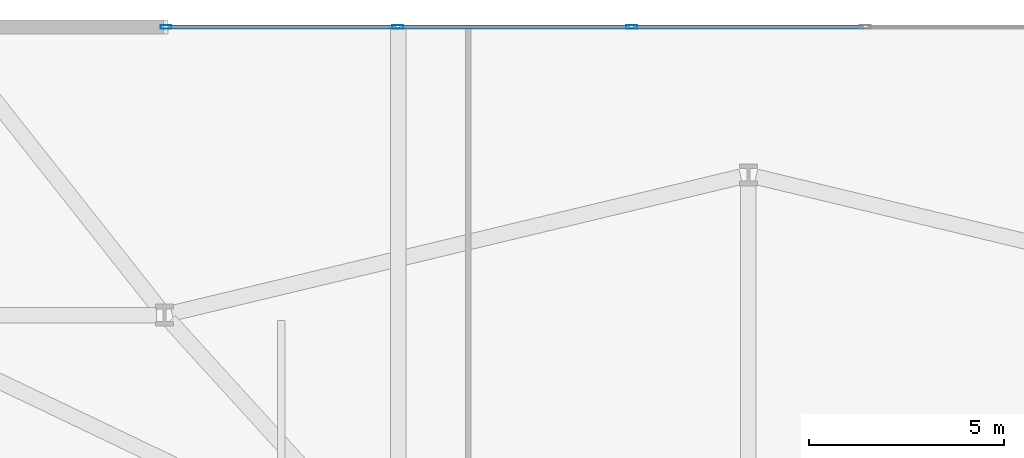
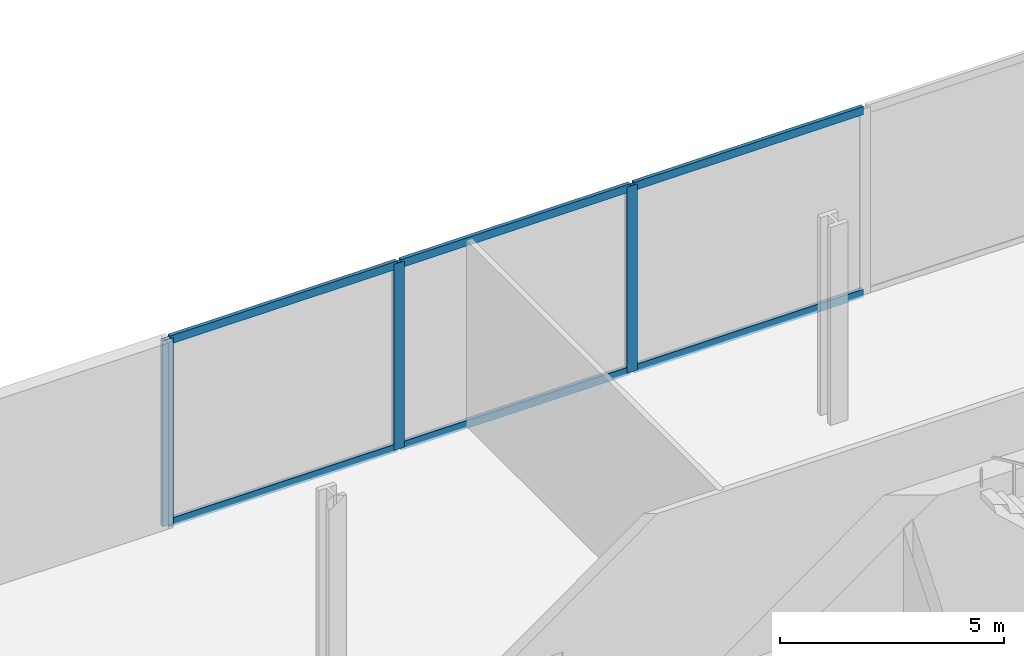
# One storey, part 6 of 20: 9 members, 1 element without a shape of its own.
"""IFC4 building model written with IfcOpenShell, lengths in metres."""

from ifc_helpers import new_model, si_unit, direction, frame, origin, origin_2d, place, context, subcontext, project, spatial, hollow_rectangle, extrude, material, material_profile, profile_set, type_object, element, aggregate, save


model = new_model("IFC4")

# Units and contexts
model_context = context("Model", 3, precision=1e-05, world=origin(), true_north=direction((0.0, 1.0)))
body_context = subcontext(model_context, "Body", "Model", "MODEL_VIEW")
ifc_project = project(units=[si_unit("LENGTHUNIT", "METRE"), si_unit("AREAUNIT", "SQUARE_METRE"), si_unit("VOLUMEUNIT", "CUBIC_METRE"), si_unit("PLANEANGLEUNIT", "RADIAN"), si_unit("MASSUNIT", "GRAM", prefix="KILO")], contexts=[model_context])

# Site, building, storey
site_placement = place(None, origin())
site = spatial("IfcSite", under=ifc_project, at=site_placement, CompositionType="ELEMENT")
building_placement = place(site_placement, origin())
building = spatial("IfcBuilding", under=site, at=building_placement, Name="Haldenkirk Collegiate Tower", CompositionType="ELEMENT")
storey_placement = place(building_placement, frame((0.0, 0.0, 6.0)))
storey = spatial("IfcBuildingStorey", under=building, at=storey_placement, Name="L01", CompositionType="ELEMENT", Elevation=6.0)

# Curtain wall, members
ifc_material = material(Name="Anodised architectural bronze aluminium", Category="aluminium")
curtain_wall_type = type_object("IfcCurtainWallType", Name="CW-SYS3-PODIUM", PredefinedType="USERDEFINED", material=ifc_material)
curtain_wall_placement = place(storey_placement, origin())
curtain_wall = element("IfcCurtainWall", 1, at=curtain_wall_placement, inside=storey, type_object=curtain_wall_type, Name="L01 Podium campus concourse and library storefront curtain wall", ObjectType="UNITISED CURTAIN WALL", PredefinedType="USERDEFINED")
ifc_material_profile_1 = material_profile(ifc_material, hollow_rectangle(XDim=0.094970703125, YDim=0.280029296875, WallThickness=0.0048828125, at=origin_2d()), Name="CW-MUL-03")
ifc_profile_set_1 = profile_set([ifc_material_profile_1], Name="Anodised architectural bronze aluminium")
member_type_1 = type_object("IfcMemberType", Name="CW-MUL-03", PredefinedType="MULLION", material=ifc_profile_set_1)
member_1_placement = place(storey_placement, frame((21.03955078125, 48.0, 0.0), z_axis=(0.0, 0.0, 1.0), x_axis=(0.0, 1.0, 0.0)))
member_1 = element("IfcMember", 2, at=member_1_placement, type_object=member_type_1, Name="CW-03 mullion 1", PredefinedType="MULLION", context=body_context, shape_type="SweptSolid", body=[
    extrude(hollow_rectangle(XDim=0.094970703125, YDim=0.280029296875, WallThickness=0.0048828125, at=origin_2d()), origin(), (0.0, 0.0, 1.0), 5.070068359375),
])
member_2_placement = place(storey_placement, frame((26.9951171875, 48.0, 0.0), z_axis=(0.0, 0.0, 1.0), x_axis=(0.0, 1.0, 0.0)))
member_2 = element("IfcMember", 3, at=member_2_placement, type_object=member_type_1, Name="CW-03 mullion 2", PredefinedType="MULLION", context=body_context, shape_type="SweptSolid", body=[
    extrude(hollow_rectangle(XDim=0.094970703125, YDim=0.280029296875, WallThickness=0.0048828125, at=origin_2d()), origin(), (0.0, 0.0, 1.0), 5.070068359375),
])
member_3_placement = place(storey_placement, frame((32.998291015625, 48.0, 0.0), z_axis=(0.0, 0.0, 1.0), x_axis=(0.0, 1.0, 0.0)))
member_3 = element("IfcMember", 4, at=member_3_placement, type_object=member_type_1, Name="CW-03 mullion 3", PredefinedType="MULLION", context=body_context, shape_type="SweptSolid", body=[
    extrude(hollow_rectangle(XDim=0.094970703125, YDim=0.280029296875, WallThickness=0.0048828125, at=origin_2d()), origin(), (0.0, 0.0, 1.0), 5.070068359375),
])
ifc_material_profile_2 = material_profile(ifc_material, hollow_rectangle(XDim=0.094970703125, YDim=0.219970703125, WallThickness=0.0048828125, at=origin_2d()), Name="CW-TRN-03")
ifc_profile_set_2 = profile_set([ifc_material_profile_2], Name="Anodised architectural bronze aluminium")
member_type_2 = type_object("IfcMemberType", Name="CW-TRN-03", PredefinedType="USERDEFINED", material=ifc_profile_set_2)
member_4_placement = place(storey_placement, frame((21.0869140625, 48.0, 0.047607421875), z_axis=(1.0, 0.0, 0.0), x_axis=(0.0, 1.0, 0.0)))
member_4 = element("IfcMember", 5, at=member_4_placement, type_object=member_type_2, Name="CW-03 transom 1.1", ObjectType="TRANSOM", PredefinedType="USERDEFINED", context=body_context, shape_type="SweptSolid", body=[
    extrude(hollow_rectangle(XDim=0.094970703125, YDim=0.219970703125, WallThickness=0.0048828125, at=origin_2d()), origin(), (0.0, 0.0, 1.0), 5.86083984375),
])
member_5_placement = place(storey_placement, frame((21.0869140625, 48.0, 5.0224609375), z_axis=(1.0, 0.0, 0.0), x_axis=(0.0, 1.0, 0.0)))
member_5 = element("IfcMember", 6, at=member_5_placement, type_object=member_type_2, Name="CW-03 transom 1.2", ObjectType="TRANSOM", PredefinedType="USERDEFINED", context=body_context, shape_type="SweptSolid", body=[
    extrude(hollow_rectangle(XDim=0.094970703125, YDim=0.219970703125, WallThickness=0.0048828125, at=origin_2d()), origin(), (0.0, 0.0, 1.0), 5.86083984375),
])
member_6_placement = place(storey_placement, frame((27.042724609375, 48.0, 0.047607421875), z_axis=(1.0, 0.0, 0.0), x_axis=(0.0, 1.0, 0.0)))
member_6 = element("IfcMember", 7, at=member_6_placement, type_object=member_type_2, Name="CW-03 transom 2.1", ObjectType="TRANSOM", PredefinedType="USERDEFINED", context=body_context, shape_type="SweptSolid", body=[
    extrude(hollow_rectangle(XDim=0.094970703125, YDim=0.219970703125, WallThickness=0.0048828125, at=origin_2d()), origin(), (0.0, 0.0, 1.0), 5.908203125),
])
member_7_placement = place(storey_placement, frame((27.042724609375, 48.0, 5.0224609375), z_axis=(1.0, 0.0, 0.0), x_axis=(0.0, 1.0, 0.0)))
member_7 = element("IfcMember", 8, at=member_7_placement, type_object=member_type_2, Name="CW-03 transom 2.2", ObjectType="TRANSOM", PredefinedType="USERDEFINED", context=body_context, shape_type="SweptSolid", body=[
    extrude(hollow_rectangle(XDim=0.094970703125, YDim=0.219970703125, WallThickness=0.0048828125, at=origin_2d()), origin(), (0.0, 0.0, 1.0), 5.908203125),
])
member_8_placement = place(storey_placement, frame((33.0458984375, 48.0, 0.047607421875), z_axis=(1.0, 0.0, 0.0), x_axis=(0.0, 1.0, 0.0)))
member_8 = element("IfcMember", 9, at=member_8_placement, type_object=member_type_2, Name="CW-03 transom 3.1", ObjectType="TRANSOM", PredefinedType="USERDEFINED", context=body_context, shape_type="SweptSolid", body=[
    extrude(hollow_rectangle(XDim=0.094970703125, YDim=0.219970703125, WallThickness=0.0048828125, at=origin_2d()), origin(), (0.0, 0.0, 1.0), 5.908203125),
])
member_9_placement = place(storey_placement, frame((33.0458984375, 48.0, 5.0224609375), z_axis=(1.0, 0.0, 0.0), x_axis=(0.0, 1.0, 0.0)))
member_9 = element("IfcMember", 10, at=member_9_placement, type_object=member_type_2, Name="CW-03 transom 3.2", ObjectType="TRANSOM", PredefinedType="USERDEFINED", context=body_context, shape_type="SweptSolid", body=[
    extrude(hollow_rectangle(XDim=0.094970703125, YDim=0.219970703125, WallThickness=0.0048828125, at=origin_2d()), origin(), (0.0, 0.0, 1.0), 5.908203125),
])
aggregate(curtain_wall, [member_1, member_2, member_3, member_4, member_5, member_6, member_7, member_8, member_9])

save(model, "model.ifc")
